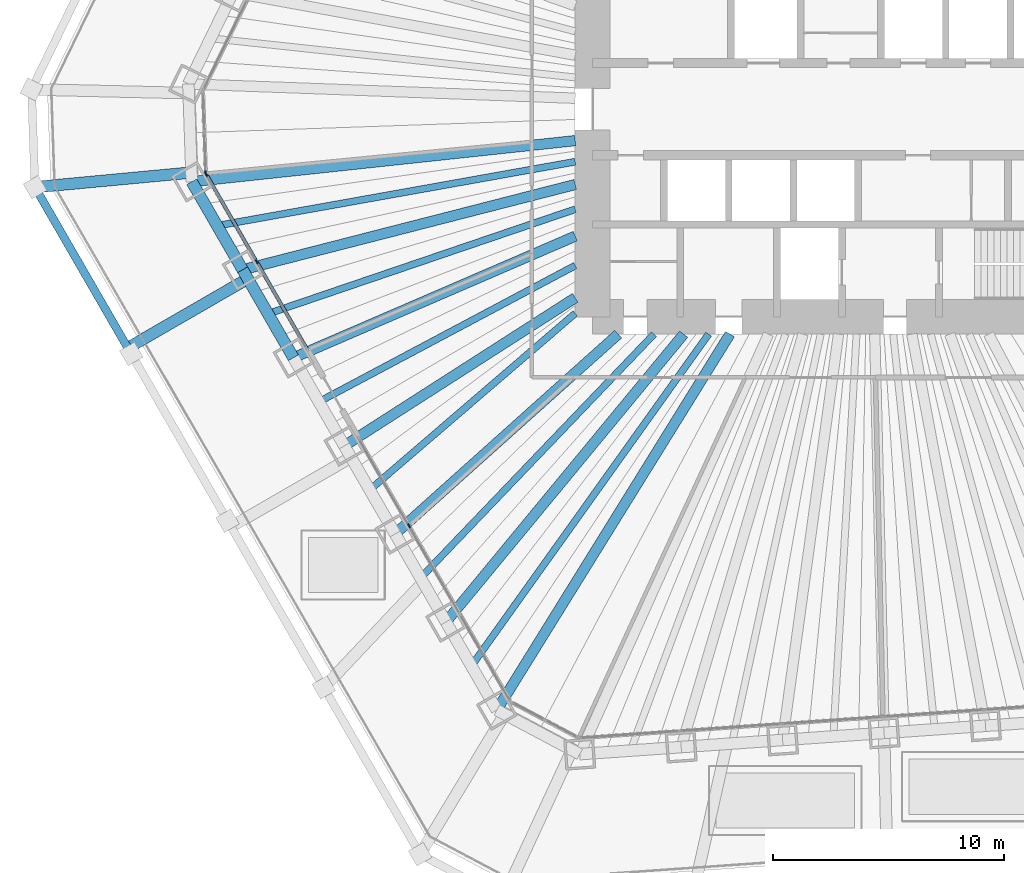
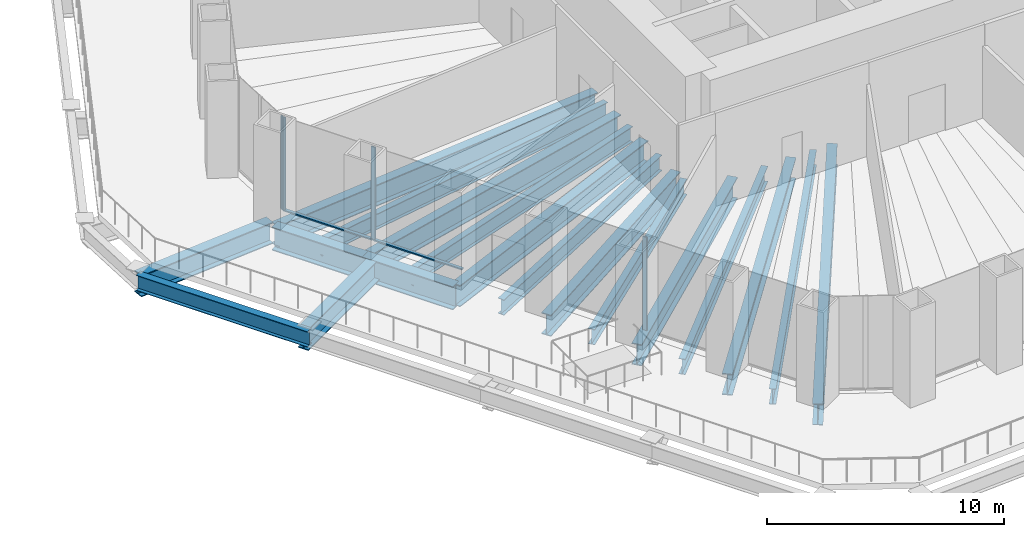
# One storey, part 3 of 20: 18 beams, 6 members, 3 elements without a shape of their own.
"""IFC4 building model written with IfcOpenShell, lengths in metres."""

from ifc_helpers import new_model, si_unit, direction, frame, origin, origin_2d, place, context, subcontext, project, spatial, rectangle, i_section, extrude, material, material_profile, profile_set, type_object, element, aggregate, save


model = new_model("IFC4")

# Units and contexts
model_context = context("Model", 3, precision=1e-05, world=origin(), true_north=direction((0.0, 1.0)))
body_context = subcontext(model_context, "Body", "Model", "MODEL_VIEW")
ifc_project = project(units=[si_unit("LENGTHUNIT", "METRE"), si_unit("AREAUNIT", "SQUARE_METRE"), si_unit("VOLUMEUNIT", "CUBIC_METRE"), si_unit("PLANEANGLEUNIT", "RADIAN"), si_unit("MASSUNIT", "GRAM", prefix="KILO")], contexts=[model_context])

# Site, building, storey
site_placement = place(None, origin())
site = spatial("IfcSite", under=ifc_project, at=site_placement, CompositionType="ELEMENT")
building_placement = place(site_placement, origin())
building = spatial("IfcBuilding", under=site, at=building_placement, Name="Qingtian Harvest Tower", CompositionType="ELEMENT")
storey_placement = place(building_placement, frame((0.0, 0.0, 17.0)))
storey = spatial("IfcBuildingStorey", under=building, at=storey_placement, Name="L03", CompositionType="ELEMENT", Elevation=17.0)

# Beams
ifc_material_1 = material(Name="Steel SM570MC", Category="steel")
ifc_material_profile_1 = material_profile(ifc_material_1, i_section(OverallWidth=0.449951171875, OverallDepth=1.10009765625, WebThickness=0.02197265625, FlangeThickness=0.044921875, at=origin_2d()), Name="H1100x450x22x45")
ifc_profile_set_1 = profile_set([ifc_material_profile_1], Name="Steel SM570MC")
beam_type_1 = type_object("IfcBeamType", Name="Corner floor beam FB8 H1100x450x22x45", PredefinedType="BEAM", material=ifc_profile_set_1)
beam_1_placement = place(storey_placement, frame((-16.14697265625, -26.03271484375, -0.85009765625), z_axis=(0.5270935495, 0.849807266429, 0.0), x_axis=(-0.849807266429, 0.5270935495, 0.0)))
element("IfcBeam", 1, at=beam_1_placement, inside=storey, type_object=beam_type_1, Name="Floor beam FB8 SW0", PredefinedType="BEAM", context=body_context, shape_type="SweptSolid", body=[
    extrude(i_section(OverallWidth=0.449951171875, OverallDepth=1.10009765625, WebThickness=0.02197265625, FlangeThickness=0.044921875, at=origin_2d()), origin(), (0.0, 0.0, 1.0), 19.160400390625),
])
beam_2_placement = place(storey_placement, frame((-29.36083984375, -3.145751953125, -0.85009765625), z_axis=(0.994308822197, 0.106536219669, 0.0), x_axis=(-0.106536219669, 0.994308822197, 0.0)))
element("IfcBeam", 2, at=beam_2_placement, inside=storey, type_object=beam_type_1, Name="Floor beam FB8 SW6", PredefinedType="BEAM", context=body_context, shape_type="SweptSolid", body=[
    extrude(i_section(OverallWidth=0.449951171875, OverallDepth=1.10009765625, WebThickness=0.02197265625, FlangeThickness=0.044921875, at=origin_2d()), origin(), (0.0, 0.0, 1.0), 16.705810546875),
])
ifc_material_2 = material(Name="Steel SM570MC", Category="steel")
ifc_material_profile_2 = material_profile(ifc_material_2, i_section(OverallWidth=0.449951171875, OverallDepth=1.10009765625, WebThickness=0.02197265625, FlangeThickness=0.044921875, at=origin_2d()), Name="H1100x450x22x45")
ifc_profile_set_2 = profile_set([ifc_material_profile_2], Name="Steel SM570MC")
beam_type_2 = type_object("IfcBeamType", Name="Floor beam FB1 H1100x450x22x45", PredefinedType="BEAM", material=ifc_profile_set_2)
beam_3_placement = place(storey_placement, frame((-18.349365234375, -22.21826171875, -0.85009765625), z_axis=(0.636780387972, 0.771045224026, 0.0), x_axis=(-0.771045224026, 0.636780387972, 0.0)))
element("IfcBeam", 3, at=beam_3_placement, inside=storey, type_object=beam_type_2, Name="Floor beam FB1 SW1", PredefinedType="BEAM", context=body_context, shape_type="SweptSolid", body=[
    extrude(i_section(OverallWidth=0.449951171875, OverallDepth=1.10009765625, WebThickness=0.02197265625, FlangeThickness=0.044921875, at=origin_2d()), origin(), (0.0, 0.0, 1.0), 16.170654296875),
])
beam_4_placement = place(storey_placement, frame((-20.551513671875, -18.403564453125, -0.85009765625), z_axis=(0.744965104975, 0.667103434536, 0.0), x_axis=(-0.667103434536, 0.744965104975, 0.0)))
element("IfcBeam", 4, at=beam_4_placement, inside=storey, type_object=beam_type_2, Name="Floor beam FB1 SW2", PredefinedType="BEAM", context=body_context, shape_type="SweptSolid", body=[
    extrude(i_section(OverallWidth=0.449951171875, OverallDepth=1.10009765625, WebThickness=0.02197265625, FlangeThickness=0.044921875, at=origin_2d()), origin(), (0.0, 0.0, 1.0), 12.971923828125),
])
beam_5_placement = place(storey_placement, frame((-22.75390625, -14.589111328125, -0.85009765625), z_axis=(0.841829353865, 0.539743771591, 0.0), x_axis=(-0.539743771591, 0.841829353865, 0.0)))
element("IfcBeam", 5, at=beam_5_placement, inside=storey, type_object=beam_type_2, Name="Floor beam FB1 SW3", PredefinedType="BEAM", context=body_context, shape_type="SweptSolid", body=[
    extrude(i_section(OverallWidth=0.449951171875, OverallDepth=1.10009765625, WebThickness=0.02197265625, FlangeThickness=0.044921875, at=origin_2d()), origin(), (0.0, 0.0, 1.0), 11.883544921875),
])
beam_6_placement = place(storey_placement, frame((-24.9560546875, -10.774658203125, -0.85009765625), z_axis=(0.918083617325, 0.396386770213, 0.0), x_axis=(-0.396386770213, 0.918083617325, 0.0)))
element("IfcBeam", 6, at=beam_6_placement, inside=storey, type_object=beam_type_2, Name="Floor beam FB1 SW4", PredefinedType="BEAM", context=body_context, shape_type="SweptSolid", body=[
    extrude(i_section(OverallWidth=0.449951171875, OverallDepth=1.10009765625, WebThickness=0.02197265625, FlangeThickness=0.044921875, at=origin_2d()), origin(), (0.0, 0.0, 1.0), 13.295166015625),
])
beam_7_placement = place(storey_placement, frame((-27.158447265625, -6.960205078125, -0.85009765625), z_axis=(0.968693729942, 0.248258851947, 0.0), x_axis=(-0.248258851947, 0.968693729942, 0.0)))
element("IfcBeam", 7, at=beam_7_placement, inside=storey, type_object=beam_type_2, Name="Floor beam FB1 SW5", PredefinedType="BEAM", context=body_context, shape_type="SweptSolid", body=[
    extrude(i_section(OverallWidth=0.449951171875, OverallDepth=1.10009765625, WebThickness=0.02197265625, FlangeThickness=0.044921875, at=origin_2d()), origin(), (0.0, 0.0, 1.0), 14.8740234375),
])
ifc_material_3 = material(Name="Steel SM570MC", Category="steel")
ifc_material_profile_3 = material_profile(ifc_material_3, i_section(OverallWidth=0.5, OverallDepth=1.10009765625, WebThickness=0.02490234375, FlangeThickness=0.050048828125, at=origin_2d()), Name="H1100x500x25x50")
ifc_profile_set_3 = profile_set([ifc_material_profile_3], Name="Steel SM570MC")
beam_type_3 = type_object("IfcBeamType", Name="Floor beam FB6 H1100x500x25x50", PredefinedType="BEAM", material=ifc_profile_set_3)
beam_8_placement = place(storey_placement, frame((-32.131103515625, -10.34716796875, -0.85009765625), z_axis=(0.866020924479, 0.500007758305, 0.0), x_axis=(-0.500007758305, 0.866020924479, 0.0)))
element("IfcBeam", 8, at=beam_8_placement, inside=storey, type_object=beam_type_3, Name="Podium floor beam FB6 SW3", PredefinedType="BEAM", context=body_context, shape_type="SweptSolid", body=[
    extrude(i_section(OverallWidth=0.5, OverallDepth=1.10009765625, WebThickness=0.02490234375, FlangeThickness=0.050048828125, at=origin_2d()), origin(), (0.0, 0.0, 1.0), 6.0),
])
beam_9_placement = place(storey_placement, frame((-36.152099609375, -3.3828125, -0.85009765625), z_axis=(0.995649523879, 0.093177387812, 0.0), x_axis=(-0.093177387812, 0.995649523879, 0.0)))
element("IfcBeam", 9, at=beam_9_placement, inside=storey, type_object=beam_type_3, Name="Podium floor beam FB6 SW4", PredefinedType="BEAM", context=body_context, shape_type="SweptSolid", body=[
    extrude(i_section(OverallWidth=0.5, OverallDepth=1.10009765625, WebThickness=0.02490234375, FlangeThickness=0.050048828125, at=origin_2d()), origin(), (0.0, 0.0, 1.0), 6.80712890625),
])
ifc_material_4 = material(Name="Steel SN490B", Category="steel")
ifc_material_profile_4 = material_profile(ifc_material_4, i_section(OverallWidth=0.300048828125, OverallDepth=0.800048828125, WebThickness=0.013916015625, FlangeThickness=0.02587890625, at=origin_2d()), Name="H800x300x14x26")
ifc_profile_set_4 = profile_set([ifc_material_profile_4], Name="Steel SN490B")
beam_type_4 = type_object("IfcBeamType", Name="Floor joist J1 H800x300x14x26", PredefinedType="JOIST", material=ifc_profile_set_4)
beam_10_placement = place(storey_placement, frame((-17.248046875, -24.12548828125, -0.699951171875), z_axis=(0.581580544546, 0.81348882611, 0.0), x_axis=(-0.81348882611, 0.581580544546, 0.0)))
element("IfcBeam", 10, at=beam_10_placement, inside=storey, type_object=beam_type_4, Name="Floor joist J1 SW0", PredefinedType="JOIST", context=body_context, shape_type="SweptSolid", body=[
    extrude(i_section(OverallWidth=0.300048828125, OverallDepth=0.800048828125, WebThickness=0.013916015625, FlangeThickness=0.02587890625, at=origin_2d()), origin(), (0.0, 0.0, 1.0), 17.67138671875),
])
beam_11_placement = place(storey_placement, frame((-19.450439453125, -20.31103515625, -0.699951171875), z_axis=(0.691639144398, 0.722243237377, 0.0), x_axis=(-0.722243237377, 0.691639144398, 0.0)))
element("IfcBeam", 11, at=beam_11_placement, inside=storey, type_object=beam_type_4, Name="Floor joist J1 SW1", PredefinedType="JOIST", context=body_context, shape_type="SweptSolid", body=[
    extrude(i_section(OverallWidth=0.300048828125, OverallDepth=0.800048828125, WebThickness=0.013916015625, FlangeThickness=0.02587890625, at=origin_2d()), origin(), (0.0, 0.0, 1.0), 14.62255859375),
])
beam_12_placement = place(storey_placement, frame((-21.652587890625, -16.496337890625, -0.699951171875), z_axis=(0.758605680154, 0.651550014994, 0.0), x_axis=(-0.651550014994, 0.758605680154, 0.0)))
element("IfcBeam", 12, at=beam_12_placement, inside=storey, type_object=beam_type_4, Name="Floor joist J1 SW2", PredefinedType="JOIST", context=body_context, shape_type="SweptSolid", body=[
    extrude(i_section(OverallWidth=0.300048828125, OverallDepth=0.800048828125, WebThickness=0.013916015625, FlangeThickness=0.02587890625, at=origin_2d()), origin(), (0.0, 0.0, 1.0), 11.7353515625),
])
beam_13_placement = place(storey_placement, frame((-23.85498046875, -12.681884765625, -0.699951171875), z_axis=(0.882982474604, 0.469405953885, 0.0), x_axis=(-0.469405953885, 0.882982474604, 0.0)))
element("IfcBeam", 13, at=beam_13_placement, inside=storey, type_object=beam_type_4, Name="Floor joist J1 SW3", PredefinedType="JOIST", context=body_context, shape_type="SweptSolid", body=[
    extrude(i_section(OverallWidth=0.300048828125, OverallDepth=0.800048828125, WebThickness=0.013916015625, FlangeThickness=0.02587890625, at=origin_2d()), origin(), (0.0, 0.0, 1.0), 12.57666015625),
])
beam_14_placement = place(storey_placement, frame((-26.057373046875, -8.867431640625, -0.699951171875), z_axis=(0.946684735425, 0.322161468387, 0.0), x_axis=(-0.322161468387, 0.946684735425, 0.0)))
element("IfcBeam", 14, at=beam_14_placement, inside=storey, type_object=beam_type_4, Name="Floor joist J1 SW4", PredefinedType="JOIST", context=body_context, shape_type="SweptSolid", body=[
    extrude(i_section(OverallWidth=0.300048828125, OverallDepth=0.800048828125, WebThickness=0.013916015625, FlangeThickness=0.02587890625, at=origin_2d()), origin(), (0.0, 0.0, 1.0), 14.056884765625),
])
beam_15_placement = place(storey_placement, frame((-28.259521484375, -5.052978515625, -0.699951171875), z_axis=(0.984387614034, 0.176014275943, 0.0), x_axis=(-0.176014275943, 0.984387614034, 0.0)))
element("IfcBeam", 15, at=beam_15_placement, inside=storey, type_object=beam_type_4, Name="Floor joist J1 SW5", PredefinedType="JOIST", context=body_context, shape_type="SweptSolid", body=[
    extrude(i_section(OverallWidth=0.300048828125, OverallDepth=0.800048828125, WebThickness=0.013916015625, FlangeThickness=0.02587890625, at=origin_2d()), origin(), (0.0, 0.0, 1.0), 15.755615234375),
])

# Curtain wall, member
ifc_material_5 = material(Name="Bronze-anodised aluminium curtain wall", Category="aluminium")
curtain_wall_type = type_object("IfcCurtainWallType", Name="Curtain wall CW2 farm reception", PredefinedType="USERDEFINED", material=ifc_material_5)
curtain_wall_1_placement = place(storey_placement, origin())
curtain_wall_1 = element("IfcCurtainWall", 16, at=curtain_wall_1_placement, inside=storey, type_object=curtain_wall_type, Name="Curtain wall CW2 L03 SW0-2", ObjectType="RECESSED CURTAIN WALL", PredefinedType="USERDEFINED")
ifc_material_6 = material(Name="Bronze-anodised aluminium mullion", Category="aluminium")
ifc_material_profile_5 = material_profile(ifc_material_6, rectangle(XDim=0.06494140625, YDim=0.199951171875, at=origin_2d()), Name="AL 65x200")
ifc_profile_set_5 = profile_set([ifc_material_profile_5], Name="Bronze-anodised aluminium mullion")
member_type_1 = type_object("IfcMemberType", Name="Mullion CWM 65x200", PredefinedType="MULLION", material=ifc_profile_set_5)
member_1_placement = place(storey_placement, frame((-19.9453125, -18.0537109375, 0.0), z_axis=(0.0, 0.0, 1.0), x_axis=(-0.866025403784, -0.5, 0.0)))
member_1 = element("IfcMember", 17, at=member_1_placement, type_object=member_type_1, Name="CW2 mullion 3", PredefinedType="MULLION", context=body_context, shape_type="SweptSolid", body=[
    extrude(rectangle(XDim=0.06494140625, YDim=0.199951171875, at=origin_2d()), origin(), (0.0, 0.0, 1.0), 4.800048828125),
])
aggregate(curtain_wall_1, [member_1])

# Curtain wall, members
curtain_wall_2_placement = place(storey_placement, origin())
curtain_wall_2 = element("IfcCurtainWall", 18, at=curtain_wall_2_placement, inside=storey, type_object=curtain_wall_type, Name="Curtain wall CW2 L03 SW4-5", ObjectType="RECESSED CURTAIN WALL", PredefinedType="USERDEFINED")
member_2_placement = place(storey_placement, frame((-26.55224609375, -6.610107421875, 0.0), z_axis=(0.0, 0.0, 1.0), x_axis=(-0.866025403784, -0.5, 0.0)))
member_2 = element("IfcMember", 19, at=member_2_placement, type_object=member_type_1, Name="CW2 mullion 2", PredefinedType="MULLION", context=body_context, shape_type="SweptSolid", body=[
    extrude(rectangle(XDim=0.06494140625, YDim=0.199951171875, at=origin_2d()), origin(), (0.0, 0.0, 1.0), 4.800048828125),
])
member_3_placement = place(storey_placement, frame((-28.73828125, -2.82373046875, 0.0), z_axis=(0.0, 0.0, 1.0), x_axis=(-0.866025403784, -0.5, 0.0)))
member_3 = element("IfcMember", 20, at=member_3_placement, type_object=member_type_1, Name="CW2 mullion 3", PredefinedType="MULLION", context=body_context, shape_type="SweptSolid", body=[
    extrude(rectangle(XDim=0.06494140625, YDim=0.199951171875, at=origin_2d()), origin(), (0.0, 0.0, 1.0), 4.800048828125),
])

# Curtain wall, member
curtain_wall_3_placement = place(storey_placement, origin())
curtain_wall_3 = element("IfcCurtainWall", 21, at=curtain_wall_3_placement, inside=storey, type_object=curtain_wall_type, Name="Curtain wall CW2 L03 SWC", ObjectType="RECESSED CURTAIN WALL", PredefinedType="USERDEFINED")
member_4_placement = place(storey_placement, frame((-28.755615234375, -2.76318359375, 0.0), z_axis=(0.0, 0.0, 1.0), x_axis=(-0.999390827019, -0.034899496703, 0.0)))
member_4 = element("IfcMember", 22, at=member_4_placement, type_object=member_type_1, Name="CW2 mullion 1", PredefinedType="MULLION", context=body_context, shape_type="SweptSolid", body=[
    extrude(rectangle(XDim=0.06494140625, YDim=0.199951171875, at=origin_2d()), origin(), (0.0, 0.0, 1.0), 4.800048828125),
])
aggregate(curtain_wall_3, [member_4])

# Beams
ifc_material_7 = material(Name="Steel SN490B", Category="steel")
ifc_material_profile_6 = material_profile(ifc_material_7, i_section(OverallWidth=0.35009765625, OverallDepth=0.800048828125, WebThickness=0.01611328125, FlangeThickness=0.028076171875, at=origin_2d()), Name="H800x350x16x28")
ifc_profile_set_6 = profile_set([ifc_material_profile_6], Name="Steel SN490B")
beam_type_5 = type_object("IfcBeamType", Name="Podium beam PB1 H800x350x16x28", PredefinedType="BEAM", material=ifc_profile_set_6)
beam_16_placement = place(storey_placement, frame((-31.981201171875, -10.60693359375, -0.699951171875), z_axis=(-0.500004511595, 0.866022798998, 0.0), x_axis=(-0.866022798998, -0.500004511595, 0.0)))
element("IfcBeam", 23, at=beam_16_placement, inside=storey, type_object=beam_type_5, Name="Podium edge beam PB1 SW3", PredefinedType="BEAM", context=body_context, shape_type="SweptSolid", body=[
    extrude(i_section(OverallWidth=0.35009765625, OverallDepth=0.800048828125, WebThickness=0.01611328125, FlangeThickness=0.028076171875, at=origin_2d()), origin(), (0.0, 0.0, 1.0), 8.341796875),
])
ifc_material_8 = material(Name="Steel SM570MC", Category="steel")
ifc_material_profile_7 = material_profile(ifc_material_8, i_section(OverallWidth=0.5, OverallDepth=1.199951171875, WebThickness=0.02490234375, FlangeThickness=0.050048828125, at=origin_2d()), Name="H1200x500x25x50")
ifc_profile_set_7 = profile_set([ifc_material_profile_7], Name="Steel SM570MC")
beam_type_6 = type_object("IfcBeamType", Name="Spandrel beam SB1 H1200x500x25x50", PredefinedType="SPANDREL", material=ifc_profile_set_7)
for number, where, z_axis, x_axis, name in (
    (24, (-24.9560546875, -10.774658203125, -0.89990234375), (-0.50001992892, 0.866013897511, 0.0), (-0.866013897511, -0.50001992892, 0.0), "Spandrel SB1 SW4"),
    (25, (-27.158447265625, -6.960205078125, -0.89990234375), (-0.50001992892, 0.866013897511, 0.0), (-0.866013897511, -0.50001992892, 0.0), "Spandrel SB1 SW5"),
):
    element("IfcBeam", number, at=place(storey_placement, frame(where, z_axis=z_axis, x_axis=x_axis)), inside=storey, type_object=beam_type_6, Name=name, PredefinedType="SPANDREL", context=body_context, shape_type="SweptSolid", body=[
        extrude(i_section(OverallWidth=0.5, OverallDepth=1.199951171875, WebThickness=0.02490234375, FlangeThickness=0.050048828125, at=origin_2d()), origin(), (0.0, 0.0, 1.0), 4.404541015625),
    ])

# Member
ifc_material_9 = material(Name="Bronze-anodised aluminium transom", Category="aluminium")
ifc_material_profile_8 = material_profile(ifc_material_9, rectangle(XDim=0.14990234375, YDim=0.06494140625, at=origin_2d()), Name="AL 65x150")
ifc_profile_set_8 = profile_set([ifc_material_profile_8], Name="Bronze-anodised aluminium transom")
member_type_2 = type_object("IfcMemberType", Name="Transom CWT 65x150", PredefinedType="USERDEFINED", material=ifc_profile_set_8)
member_5_placement = place(storey_placement, frame((-24.38232421875, -10.368408203125, 0.032470703125), z_axis=(-0.500010313095, 0.866019449435, 0.0), x_axis=(-0.866019449435, -0.500010313095, 0.0)))
member_5 = element("IfcMember", 26, at=member_5_placement, type_object=member_type_2, Name="CW2 transom 1.1", ObjectType="TRANSOM", PredefinedType="USERDEFINED", context=body_context, shape_type="SweptSolid", body=[
    extrude(rectangle(XDim=0.14990234375, YDim=0.06494140625, at=origin_2d()), origin(), (0.0, 0.0, 1.0), 4.30712890625),
])

member_6_placement = place(storey_placement, frame((-26.568603515625, -6.58203125, 0.032470703125), z_axis=(-0.499967798808, 0.866043994353, 0.0), x_axis=(-0.866043994353, -0.499967798808, 0.0)))
member_6 = element("IfcMember", 27, at=member_6_placement, type_object=member_type_2, Name="CW2 transom 2.1", ObjectType="TRANSOM", PredefinedType="USERDEFINED", context=body_context, shape_type="SweptSolid", body=[
    extrude(rectangle(XDim=0.14990234375, YDim=0.06494140625, at=origin_2d()), origin(), (0.0, 0.0, 1.0), 4.306884765625),
])

aggregate(curtain_wall_2, [member_2, member_3, member_5, member_6])

save(model, "model.ifc")
